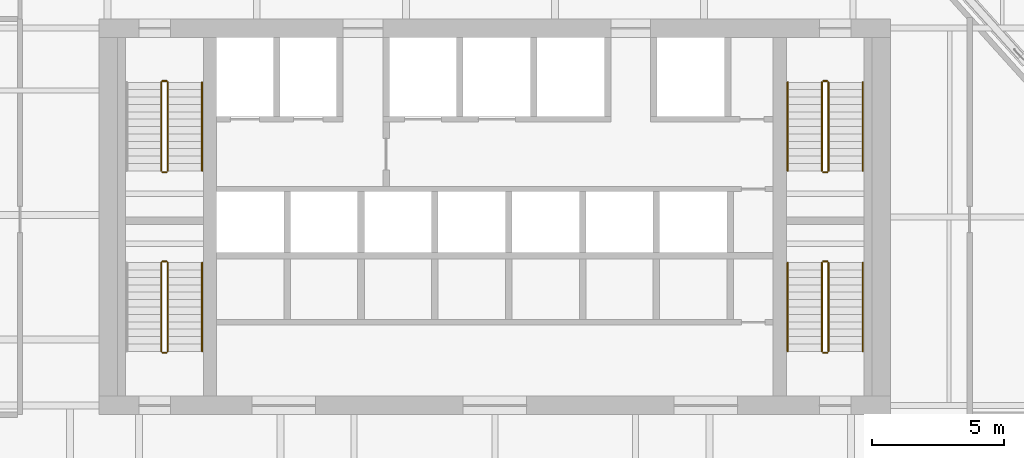
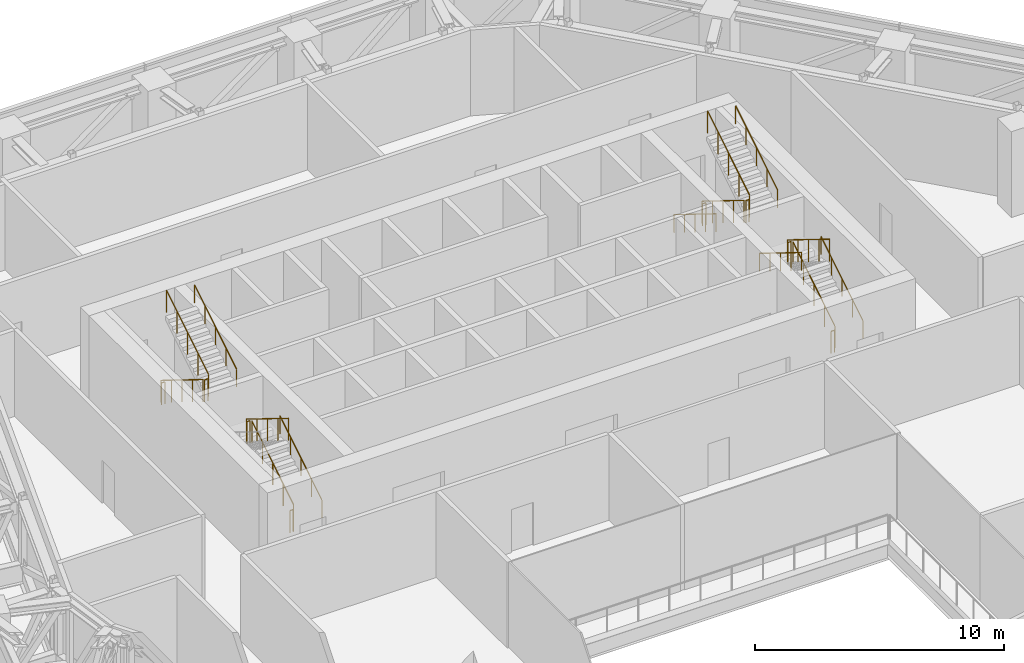
# One storey, part 26 of 26: 22 railings.
"""IFC4 building model written with IfcOpenShell, lengths in metres."""

from ifc_helpers import new_model, si_unit, direction, frame, origin, origin_2d, place, context, subcontext, project, spatial, circle, extrude, material, type_object, element, save


model = new_model("IFC4")

# Units and contexts
model_context = context("Model", 3, precision=1e-05, world=origin(), true_north=direction((0.0, 1.0)))
body_context = subcontext(model_context, "Body", "Model", "MODEL_VIEW")
ifc_project = project(units=[si_unit("LENGTHUNIT", "METRE"), si_unit("AREAUNIT", "SQUARE_METRE"), si_unit("VOLUMEUNIT", "CUBIC_METRE"), si_unit("PLANEANGLEUNIT", "RADIAN"), si_unit("MASSUNIT", "GRAM", prefix="KILO")], contexts=[model_context])

# Site, building, storey
site_placement = place(None, origin())
site = spatial("IfcSite", under=ifc_project, at=site_placement, CompositionType="ELEMENT")
building_placement = place(site_placement, origin())
building = spatial("IfcBuilding", under=site, at=building_placement, Name="Isthmus Gate Tower", CompositionType="ELEMENT")
storey_placement = place(building_placement, frame((0.0, 0.0, 207.300048828125)))
storey = spatial("IfcBuildingStorey", under=building, at=storey_placement, Name="L52", CompositionType="ELEMENT", Elevation=207.300048828125)

# Railings
ifc_material_1 = material(Name="Stainless steel balustrade", Category="steel")
railing_type_1 = type_object("IfcRailingType", Name="STAIR GUARD 1100", PredefinedType="GUARDRAIL", material=ifc_material_1)
railing_1_placement = place(storey_placement, frame((-12.64990234375, 12.60009765625, 0.173095703125)))
element("IfcRailing", 1, at=railing_1_placement, inside=storey, type_object=railing_type_1, Name="L52 ST1 stair guard 1", PredefinedType="GUARDRAIL", context=body_context, shape_type="SweptSolid", body=[
    extrude(circle(Radius=0.02392578125, at=origin_2d()), frame((0.0, 0.0, 1.076171875), z_axis=(0.0, -0.850623216509, 0.525775754039), x_axis=(1.0, 0.0, 0.0)), (0.0, 0.0, 1.0), 3.9501953125),
    extrude(circle(Radius=0.02099609375, at=origin_2d()), origin(), (0.0, 0.0, 1.0), 1.052001953125),
    extrude(circle(Radius=0.02099609375, at=origin_2d()), frame((0.0, -0.840087890625, 0.519287109375)), (0.0, 0.0, 1.0), 1.052001953125),
    extrude(circle(Radius=0.02099609375, at=origin_2d()), frame((0.0, -1.68017578125, 1.03857421875)), (0.0, 0.0, 1.0), 1.052001953125),
    extrude(circle(Radius=0.02099609375, at=origin_2d()), frame((0.0, -2.52001953125, 1.5576171875)), (0.0, 0.0, 1.0), 1.052001953125),
    extrude(circle(Radius=0.02099609375, at=origin_2d()), frame((0.0, -3.360107421875, 2.076904296875)), (0.0, 0.0, 1.0), 1.052001953125),
])
railing_2_placement = place(storey_placement, frame((-12.60009765625, 9.18994140625, 2.25)))
element("IfcRailing", 2, at=railing_2_placement, inside=storey, type_object=railing_type_1, Name="L52 ST1 stair guard 2", PredefinedType="GUARDRAIL", context=body_context, shape_type="SweptSolid", body=[
    extrude(circle(Radius=0.02392578125, at=origin_2d()), frame((0.0, 0.0, 1.076171875), z_axis=(1.0, 0.0, 0.0), x_axis=(0.0, 1.0, 0.0)), (0.0, 0.0, 1.0), 0.150146484375),
    extrude(circle(Radius=0.02099609375, at=origin_2d()), origin(), (0.0, 0.0, 1.0), 1.052001953125),
    extrude(circle(Radius=0.02099609375, at=origin_2d()), frame((0.150146484375, 0.0, 0.0)), (0.0, 0.0, 1.0), 1.052001953125),
])
railing_3_placement = place(storey_placement, frame((-12.39990234375, 9.239990234375, 2.423095703125)))
element("IfcRailing", 3, at=railing_3_placement, inside=storey, type_object=railing_type_1, Name="L52 ST1 stair guard 3", PredefinedType="GUARDRAIL", context=body_context, shape_type="SweptSolid", body=[
    extrude(circle(Radius=0.02392578125, at=origin_2d()), frame((0.0, 0.0, 1.076171875), z_axis=(0.0, 0.850623216509, 0.525775754039), x_axis=(-1.0, 0.0, 0.0)), (0.0, 0.0, 1.0), 3.9501953125),
    extrude(circle(Radius=0.02099609375, at=origin_2d()), origin(), (0.0, 0.0, 1.0), 1.052001953125),
    extrude(circle(Radius=0.02099609375, at=origin_2d()), frame((0.0, 0.840087890625, 0.519287109375)), (0.0, 0.0, 1.0), 1.052001953125),
    extrude(circle(Radius=0.02099609375, at=origin_2d()), frame((0.0, 1.68017578125, 1.03857421875)), (0.0, 0.0, 1.0), 1.052001953125),
    extrude(circle(Radius=0.02099609375, at=origin_2d()), frame((0.0, 2.52001953125, 1.5576171875)), (0.0, 0.0, 1.0), 1.052001953125),
    extrude(circle(Radius=0.02099609375, at=origin_2d()), frame((0.0, 3.360107421875, 2.076904296875)), (0.0, 0.0, 1.0), 1.052001953125),
])
railing_4_placement = place(storey_placement, frame((-12.60009765625, 12.64990234375, 0.0)))
element("IfcRailing", 4, at=railing_4_placement, inside=storey, type_object=railing_type_1, Name="L52 ST1 stair guard 4", PredefinedType="GUARDRAIL", context=body_context, shape_type="SweptSolid", body=[
    extrude(circle(Radius=0.02392578125, at=origin_2d()), frame((0.0, 0.0, 1.076171875), z_axis=(1.0, 0.0, 0.0), x_axis=(0.0, 1.0, 0.0)), (0.0, 0.0, 1.0), 0.150146484375),
    extrude(circle(Radius=0.02099609375, at=origin_2d()), origin(), (0.0, 0.0, 1.0), 1.052001953125),
    extrude(circle(Radius=0.02099609375, at=origin_2d()), frame((0.150146484375, 0.0, 0.0)), (0.0, 0.0, 1.0), 1.052001953125),
])
railing_5_placement = place(storey_placement, frame((12.39990234375, 12.60009765625, 0.173095703125)))
element("IfcRailing", 5, at=railing_5_placement, inside=storey, type_object=railing_type_1, Name="L52 ST2 stair guard 1", PredefinedType="GUARDRAIL", context=body_context, shape_type="SweptSolid", body=[
    extrude(circle(Radius=0.02392578125, at=origin_2d()), frame((0.0, 0.0, 1.076171875), z_axis=(0.0, -0.850623216509, 0.525775754039), x_axis=(1.0, 0.0, 0.0)), (0.0, 0.0, 1.0), 3.9501953125),
    extrude(circle(Radius=0.02099609375, at=origin_2d()), origin(), (0.0, 0.0, 1.0), 1.052001953125),
    extrude(circle(Radius=0.02099609375, at=origin_2d()), frame((0.0, -0.840087890625, 0.519287109375)), (0.0, 0.0, 1.0), 1.052001953125),
    extrude(circle(Radius=0.02099609375, at=origin_2d()), frame((0.0, -1.68017578125, 1.03857421875)), (0.0, 0.0, 1.0), 1.052001953125),
    extrude(circle(Radius=0.02099609375, at=origin_2d()), frame((0.0, -2.52001953125, 1.5576171875)), (0.0, 0.0, 1.0), 1.052001953125),
    extrude(circle(Radius=0.02099609375, at=origin_2d()), frame((0.0, -3.360107421875, 2.076904296875)), (0.0, 0.0, 1.0), 1.052001953125),
])
railing_6_placement = place(storey_placement, frame((12.449951171875, 9.18994140625, 2.25)))
element("IfcRailing", 6, at=railing_6_placement, inside=storey, type_object=railing_type_1, Name="L52 ST2 stair guard 2", PredefinedType="GUARDRAIL", context=body_context, shape_type="SweptSolid", body=[
    extrude(circle(Radius=0.02392578125, at=origin_2d()), frame((0.0, 0.0, 1.076171875), z_axis=(1.0, 0.0, 0.0), x_axis=(0.0, 1.0, 0.0)), (0.0, 0.0, 1.0), 0.150146484375),
    extrude(circle(Radius=0.02099609375, at=origin_2d()), origin(), (0.0, 0.0, 1.0), 1.052001953125),
    extrude(circle(Radius=0.02099609375, at=origin_2d()), frame((0.150146484375, 0.0, 0.0)), (0.0, 0.0, 1.0), 1.052001953125),
])
railing_7_placement = place(storey_placement, frame((12.64990234375, 9.239990234375, 2.423095703125)))
element("IfcRailing", 7, at=railing_7_placement, inside=storey, type_object=railing_type_1, Name="L52 ST2 stair guard 3", PredefinedType="GUARDRAIL", context=body_context, shape_type="SweptSolid", body=[
    extrude(circle(Radius=0.02392578125, at=origin_2d()), frame((0.0, 0.0, 1.076171875), z_axis=(0.0, 0.850623216509, 0.525775754039), x_axis=(-1.0, 0.0, 0.0)), (0.0, 0.0, 1.0), 3.9501953125),
    extrude(circle(Radius=0.02099609375, at=origin_2d()), origin(), (0.0, 0.0, 1.0), 1.052001953125),
    extrude(circle(Radius=0.02099609375, at=origin_2d()), frame((0.0, 0.840087890625, 0.519287109375)), (0.0, 0.0, 1.0), 1.052001953125),
    extrude(circle(Radius=0.02099609375, at=origin_2d()), frame((0.0, 1.68017578125, 1.03857421875)), (0.0, 0.0, 1.0), 1.052001953125),
    extrude(circle(Radius=0.02099609375, at=origin_2d()), frame((0.0, 2.52001953125, 1.5576171875)), (0.0, 0.0, 1.0), 1.052001953125),
    extrude(circle(Radius=0.02099609375, at=origin_2d()), frame((0.0, 3.360107421875, 2.076904296875)), (0.0, 0.0, 1.0), 1.052001953125),
])
railing_8_placement = place(storey_placement, frame((12.449951171875, 12.64990234375, 0.0)))
element("IfcRailing", 8, at=railing_8_placement, inside=storey, type_object=railing_type_1, Name="L52 ST2 stair guard 4", PredefinedType="GUARDRAIL", context=body_context, shape_type="SweptSolid", body=[
    extrude(circle(Radius=0.02392578125, at=origin_2d()), frame((0.0, 0.0, 1.076171875), z_axis=(1.0, 0.0, 0.0), x_axis=(0.0, 1.0, 0.0)), (0.0, 0.0, 1.0), 0.150146484375),
    extrude(circle(Radius=0.02099609375, at=origin_2d()), origin(), (0.0, 0.0, 1.0), 1.052001953125),
    extrude(circle(Radius=0.02099609375, at=origin_2d()), frame((0.150146484375, 0.0, 0.0)), (0.0, 0.0, 1.0), 1.052001953125),
])
railing_9_placement = place(storey_placement, frame((-12.39990234375, 2.39990234375, 0.173095703125)))
element("IfcRailing", 9, at=railing_9_placement, inside=storey, type_object=railing_type_1, Name="L52 ST7 stair guard 1", PredefinedType="GUARDRAIL", context=body_context, shape_type="SweptSolid", body=[
    extrude(circle(Radius=0.02392578125, at=origin_2d()), frame((0.0, 0.0, 1.076171875), z_axis=(0.0, 0.850623216509, 0.525775754039), x_axis=(-1.0, 0.0, 0.0)), (0.0, 0.0, 1.0), 3.9501953125),
    extrude(circle(Radius=0.02099609375, at=origin_2d()), origin(), (0.0, 0.0, 1.0), 1.052001953125),
    extrude(circle(Radius=0.02099609375, at=origin_2d()), frame((0.0, 0.840087890625, 0.519287109375)), (0.0, 0.0, 1.0), 1.052001953125),
    extrude(circle(Radius=0.02099609375, at=origin_2d()), frame((0.0, 1.68017578125, 1.03857421875)), (0.0, 0.0, 1.0), 1.052001953125),
    extrude(circle(Radius=0.02099609375, at=origin_2d()), frame((0.0, 2.52001953125, 1.5576171875)), (0.0, 0.0, 1.0), 1.052001953125),
    extrude(circle(Radius=0.02099609375, at=origin_2d()), frame((0.0, 3.360107421875, 2.076904296875)), (0.0, 0.0, 1.0), 1.052001953125),
])
railing_10_placement = place(storey_placement, frame((-12.449951171875, 5.81005859375, 2.25)))
element("IfcRailing", 10, at=railing_10_placement, inside=storey, type_object=railing_type_1, Name="L52 ST7 stair guard 2", PredefinedType="GUARDRAIL", context=body_context, shape_type="SweptSolid", body=[
    extrude(circle(Radius=0.02392578125, at=origin_2d()), frame((0.0, 0.0, 1.076171875), z_axis=(-1.0, 0.0, 0.0), x_axis=(0.0, -1.0, 0.0)), (0.0, 0.0, 1.0), 0.150146484375),
    extrude(circle(Radius=0.02099609375, at=origin_2d()), origin(), (0.0, 0.0, 1.0), 1.052001953125),
    extrude(circle(Radius=0.02099609375, at=origin_2d()), frame((-0.150146484375, 0.0, 0.0)), (0.0, 0.0, 1.0), 1.052001953125),
])
railing_11_placement = place(storey_placement, frame((-12.64990234375, 5.760009765625, 2.423095703125)))
element("IfcRailing", 11, at=railing_11_placement, inside=storey, type_object=railing_type_1, Name="L52 ST7 stair guard 3", PredefinedType="GUARDRAIL", context=body_context, shape_type="SweptSolid", body=[
    extrude(circle(Radius=0.02392578125, at=origin_2d()), frame((0.0, 0.0, 1.076171875), z_axis=(0.0, -0.850623216509, 0.525775754039), x_axis=(1.0, 0.0, 0.0)), (0.0, 0.0, 1.0), 3.9501953125),
    extrude(circle(Radius=0.02099609375, at=origin_2d()), origin(), (0.0, 0.0, 1.0), 1.052001953125),
    extrude(circle(Radius=0.02099609375, at=origin_2d()), frame((0.0, -0.840087890625, 0.519287109375)), (0.0, 0.0, 1.0), 1.052001953125),
    extrude(circle(Radius=0.02099609375, at=origin_2d()), frame((0.0, -1.68017578125, 1.03857421875)), (0.0, 0.0, 1.0), 1.052001953125),
    extrude(circle(Radius=0.02099609375, at=origin_2d()), frame((0.0, -2.52001953125, 1.5576171875)), (0.0, 0.0, 1.0), 1.052001953125),
    extrude(circle(Radius=0.02099609375, at=origin_2d()), frame((0.0, -3.360107421875, 2.076904296875)), (0.0, 0.0, 1.0), 1.052001953125),
])
railing_12_placement = place(storey_placement, frame((-12.449951171875, 2.35009765625, 0.0)))
element("IfcRailing", 12, at=railing_12_placement, inside=storey, type_object=railing_type_1, Name="L52 ST7 stair guard 4", PredefinedType="GUARDRAIL", context=body_context, shape_type="SweptSolid", body=[
    extrude(circle(Radius=0.02392578125, at=origin_2d()), frame((0.0, 0.0, 1.076171875), z_axis=(-1.0, 0.0, 0.0), x_axis=(0.0, -1.0, 0.0)), (0.0, 0.0, 1.0), 0.150146484375),
    extrude(circle(Radius=0.02099609375, at=origin_2d()), origin(), (0.0, 0.0, 1.0), 1.052001953125),
    extrude(circle(Radius=0.02099609375, at=origin_2d()), frame((-0.150146484375, 0.0, 0.0)), (0.0, 0.0, 1.0), 1.052001953125),
])
railing_13_placement = place(storey_placement, frame((12.64990234375, 2.39990234375, 0.173095703125)))
element("IfcRailing", 13, at=railing_13_placement, inside=storey, type_object=railing_type_1, Name="L52 ST8 stair guard 1", PredefinedType="GUARDRAIL", context=body_context, shape_type="SweptSolid", body=[
    extrude(circle(Radius=0.02392578125, at=origin_2d()), frame((0.0, 0.0, 1.076171875), z_axis=(0.0, 0.850623216509, 0.525775754039), x_axis=(-1.0, 0.0, 0.0)), (0.0, 0.0, 1.0), 3.9501953125),
    extrude(circle(Radius=0.02099609375, at=origin_2d()), origin(), (0.0, 0.0, 1.0), 1.052001953125),
    extrude(circle(Radius=0.02099609375, at=origin_2d()), frame((0.0, 0.840087890625, 0.519287109375)), (0.0, 0.0, 1.0), 1.052001953125),
    extrude(circle(Radius=0.02099609375, at=origin_2d()), frame((0.0, 1.68017578125, 1.03857421875)), (0.0, 0.0, 1.0), 1.052001953125),
    extrude(circle(Radius=0.02099609375, at=origin_2d()), frame((0.0, 2.52001953125, 1.5576171875)), (0.0, 0.0, 1.0), 1.052001953125),
    extrude(circle(Radius=0.02099609375, at=origin_2d()), frame((0.0, 3.360107421875, 2.076904296875)), (0.0, 0.0, 1.0), 1.052001953125),
])
railing_14_placement = place(storey_placement, frame((12.60009765625, 5.81005859375, 2.25)))
element("IfcRailing", 14, at=railing_14_placement, inside=storey, type_object=railing_type_1, Name="L52 ST8 stair guard 2", PredefinedType="GUARDRAIL", context=body_context, shape_type="SweptSolid", body=[
    extrude(circle(Radius=0.02392578125, at=origin_2d()), frame((0.0, 0.0, 1.076171875), z_axis=(-1.0, 0.0, 0.0), x_axis=(0.0, -1.0, 0.0)), (0.0, 0.0, 1.0), 0.150146484375),
    extrude(circle(Radius=0.02099609375, at=origin_2d()), origin(), (0.0, 0.0, 1.0), 1.052001953125),
    extrude(circle(Radius=0.02099609375, at=origin_2d()), frame((-0.150146484375, 0.0, 0.0)), (0.0, 0.0, 1.0), 1.052001953125),
])
railing_15_placement = place(storey_placement, frame((12.39990234375, 5.760009765625, 2.423095703125)))
element("IfcRailing", 15, at=railing_15_placement, inside=storey, type_object=railing_type_1, Name="L52 ST8 stair guard 3", PredefinedType="GUARDRAIL", context=body_context, shape_type="SweptSolid", body=[
    extrude(circle(Radius=0.02392578125, at=origin_2d()), frame((0.0, 0.0, 1.076171875), z_axis=(0.0, -0.850623216509, 0.525775754039), x_axis=(1.0, 0.0, 0.0)), (0.0, 0.0, 1.0), 3.9501953125),
    extrude(circle(Radius=0.02099609375, at=origin_2d()), origin(), (0.0, 0.0, 1.0), 1.052001953125),
    extrude(circle(Radius=0.02099609375, at=origin_2d()), frame((0.0, -0.840087890625, 0.519287109375)), (0.0, 0.0, 1.0), 1.052001953125),
    extrude(circle(Radius=0.02099609375, at=origin_2d()), frame((0.0, -1.68017578125, 1.03857421875)), (0.0, 0.0, 1.0), 1.052001953125),
    extrude(circle(Radius=0.02099609375, at=origin_2d()), frame((0.0, -2.52001953125, 1.5576171875)), (0.0, 0.0, 1.0), 1.052001953125),
    extrude(circle(Radius=0.02099609375, at=origin_2d()), frame((0.0, -3.360107421875, 2.076904296875)), (0.0, 0.0, 1.0), 1.052001953125),
])
railing_16_placement = place(storey_placement, frame((12.60009765625, 2.35009765625, 0.0)))
element("IfcRailing", 16, at=railing_16_placement, inside=storey, type_object=railing_type_1, Name="L52 ST8 stair guard 4", PredefinedType="GUARDRAIL", context=body_context, shape_type="SweptSolid", body=[
    extrude(circle(Radius=0.02392578125, at=origin_2d()), frame((0.0, 0.0, 1.076171875), z_axis=(-1.0, 0.0, 0.0), x_axis=(0.0, -1.0, 0.0)), (0.0, 0.0, 1.0), 0.150146484375),
    extrude(circle(Radius=0.02099609375, at=origin_2d()), origin(), (0.0, 0.0, 1.0), 1.052001953125),
    extrude(circle(Radius=0.02099609375, at=origin_2d()), frame((-0.150146484375, 0.0, 0.0)), (0.0, 0.0, 1.0), 1.052001953125),
])
ifc_material_2 = material(Name="Stainless steel handrail", Category="steel")
railing_type_2 = type_object("IfcRailingType", Name="STAIR HANDRAIL 900", PredefinedType="HANDRAIL", material=ifc_material_2)
railing_17_placement = place(storey_placement, frame((-11.10009765625, 9.239990234375, 2.423095703125)))
element("IfcRailing", 17, at=railing_17_placement, inside=storey, type_object=railing_type_2, Name="L52 ST1 stair handrail 2", PredefinedType="HANDRAIL", context=body_context, shape_type="SweptSolid", body=[
    extrude(circle(Radius=0.02392578125, at=origin_2d()), frame((0.0, 0.0, 0.8759765625), z_axis=(0.0, 0.850623216509, 0.525775754039), x_axis=(-1.0, 0.0, 0.0)), (0.0, 0.0, 1.0), 3.9501953125),
    extrude(circle(Radius=0.02099609375, at=origin_2d()), origin(), (0.0, 0.0, 1.0), 0.851806640625),
    extrude(circle(Radius=0.02099609375, at=origin_2d()), frame((0.0, 0.840087890625, 0.519287109375)), (0.0, 0.0, 1.0), 0.851806640625),
    extrude(circle(Radius=0.02099609375, at=origin_2d()), frame((0.0, 1.68017578125, 1.03857421875)), (0.0, 0.0, 1.0), 0.851806640625),
    extrude(circle(Radius=0.02099609375, at=origin_2d()), frame((0.0, 2.52001953125, 1.5576171875)), (0.0, 0.0, 1.0), 0.851806640625),
    extrude(circle(Radius=0.02099609375, at=origin_2d()), frame((0.0, 3.360107421875, 2.076904296875)), (0.0, 0.0, 1.0), 0.851806640625),
])
railing_18_placement = place(storey_placement, frame((11.10009765625, 12.60009765625, 0.173095703125)))
element("IfcRailing", 18, at=railing_18_placement, inside=storey, type_object=railing_type_2, Name="L52 ST2 stair handrail 1", PredefinedType="HANDRAIL", context=body_context, shape_type="SweptSolid", body=[
    extrude(circle(Radius=0.02392578125, at=origin_2d()), frame((0.0, 0.0, 0.8759765625), z_axis=(0.0, -0.850623216509, 0.525775754039), x_axis=(1.0, 0.0, 0.0)), (0.0, 0.0, 1.0), 3.9501953125),
    extrude(circle(Radius=0.02099609375, at=origin_2d()), origin(), (0.0, 0.0, 1.0), 0.851806640625),
    extrude(circle(Radius=0.02099609375, at=origin_2d()), frame((0.0, -0.840087890625, 0.519287109375)), (0.0, 0.0, 1.0), 0.851806640625),
    extrude(circle(Radius=0.02099609375, at=origin_2d()), frame((0.0, -1.68017578125, 1.03857421875)), (0.0, 0.0, 1.0), 0.851806640625),
    extrude(circle(Radius=0.02099609375, at=origin_2d()), frame((0.0, -2.52001953125, 1.5576171875)), (0.0, 0.0, 1.0), 0.851806640625),
    extrude(circle(Radius=0.02099609375, at=origin_2d()), frame((0.0, -3.360107421875, 2.076904296875)), (0.0, 0.0, 1.0), 0.851806640625),
])
for number, where, name in (
    (19, (13.949951171875, 9.239990234375, 2.423095703125), "L52 ST2 stair handrail 2"),
    (20, (-11.10009765625, 2.39990234375, 0.173095703125), "L52 ST7 stair handrail 1"),
    (21, (13.949951171875, 2.39990234375, 0.173095703125), "L52 ST8 stair handrail 1"),
):
    element("IfcRailing", number, at=place(storey_placement, frame(where)), inside=storey, type_object=railing_type_2, Name=name, PredefinedType="HANDRAIL", context=body_context, shape_type="SweptSolid", body=[
        extrude(circle(Radius=0.02392578125, at=origin_2d()), frame((0.0, 0.0, 0.8759765625), z_axis=(0.0, 0.850623216509, 0.525775754039), x_axis=(-1.0, 0.0, 0.0)), (0.0, 0.0, 1.0), 3.9501953125),
        extrude(circle(Radius=0.02099609375, at=origin_2d()), origin(), (0.0, 0.0, 1.0), 0.851806640625),
        extrude(circle(Radius=0.02099609375, at=origin_2d()), frame((0.0, 0.840087890625, 0.519287109375)), (0.0, 0.0, 1.0), 0.851806640625),
        extrude(circle(Radius=0.02099609375, at=origin_2d()), frame((0.0, 1.68017578125, 1.03857421875)), (0.0, 0.0, 1.0), 0.851806640625),
        extrude(circle(Radius=0.02099609375, at=origin_2d()), frame((0.0, 2.52001953125, 1.5576171875)), (0.0, 0.0, 1.0), 0.851806640625),
        extrude(circle(Radius=0.02099609375, at=origin_2d()), frame((0.0, 3.360107421875, 2.076904296875)), (0.0, 0.0, 1.0), 0.851806640625),
    ])
railing_19_placement = place(storey_placement, frame((11.10009765625, 5.760009765625, 2.423095703125)))
element("IfcRailing", 22, at=railing_19_placement, inside=storey, type_object=railing_type_2, Name="L52 ST8 stair handrail 2", PredefinedType="HANDRAIL", context=body_context, shape_type="SweptSolid", body=[
    extrude(circle(Radius=0.02392578125, at=origin_2d()), frame((0.0, 0.0, 0.8759765625), z_axis=(0.0, -0.850623216509, 0.525775754039), x_axis=(1.0, 0.0, 0.0)), (0.0, 0.0, 1.0), 3.9501953125),
    extrude(circle(Radius=0.02099609375, at=origin_2d()), origin(), (0.0, 0.0, 1.0), 0.851806640625),
    extrude(circle(Radius=0.02099609375, at=origin_2d()), frame((0.0, -0.840087890625, 0.519287109375)), (0.0, 0.0, 1.0), 0.851806640625),
    extrude(circle(Radius=0.02099609375, at=origin_2d()), frame((0.0, -1.68017578125, 1.03857421875)), (0.0, 0.0, 1.0), 0.851806640625),
    extrude(circle(Radius=0.02099609375, at=origin_2d()), frame((0.0, -2.52001953125, 1.5576171875)), (0.0, 0.0, 1.0), 0.851806640625),
    extrude(circle(Radius=0.02099609375, at=origin_2d()), frame((0.0, -3.360107421875, 2.076904296875)), (0.0, 0.0, 1.0), 0.851806640625),
])

save(model, "model.ifc")
